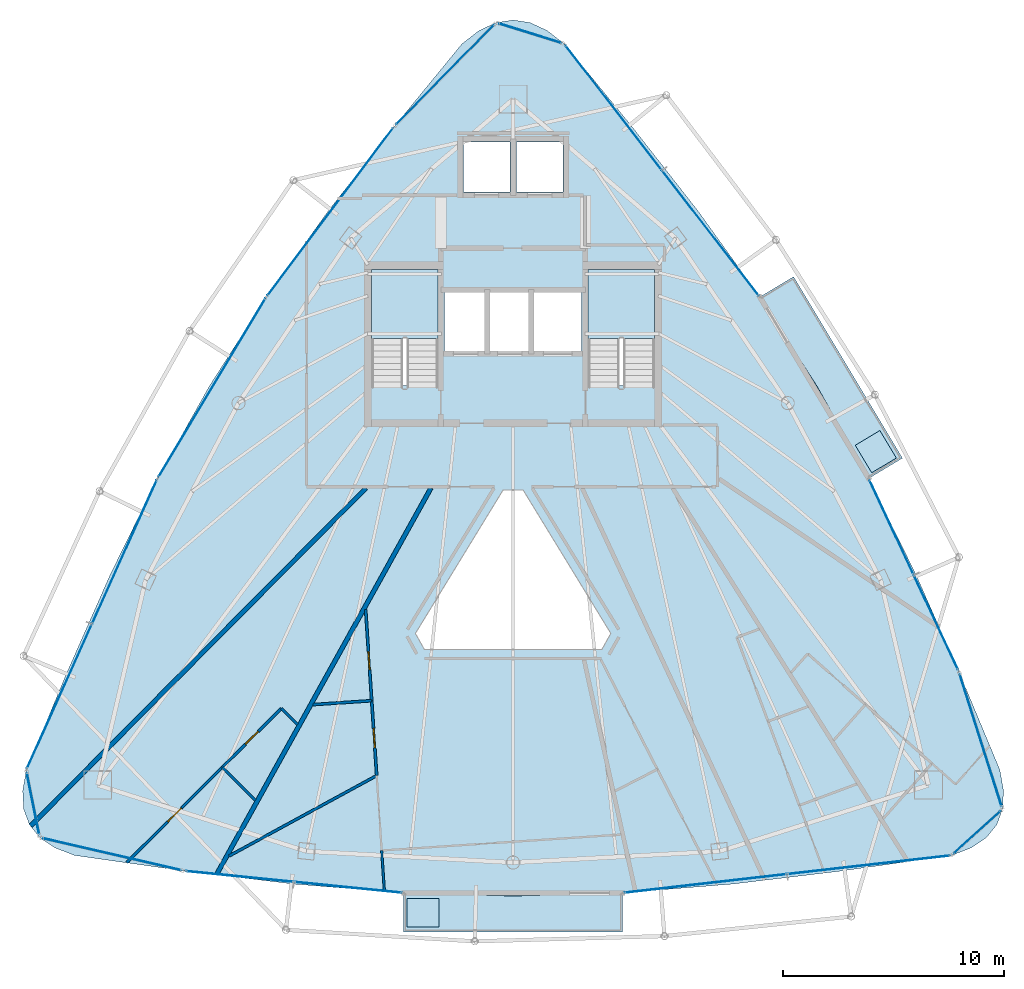
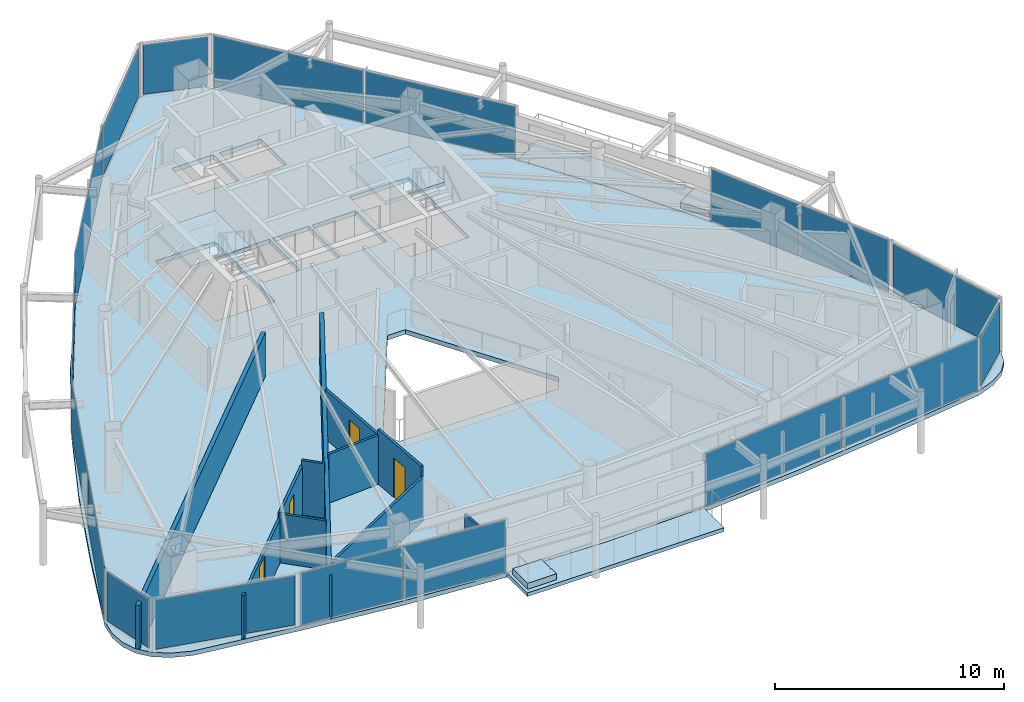
# One storey, part 24 of 29: 18 plates, 11 walls, 7 slabs, 4 doors, 4 openings, 15 elements without a shape of their own.
"""IFC4 building model written with IfcOpenShell, lengths in metres."""

from ifc_helpers import new_model, si_unit, direction, frame, frame_2d, origin, origin_2d, place, context, subcontext, project, spatial, polyline, rectangle, outline, extrude, material, layer, layer_set, type_object, element, fill, aggregate, save


model = new_model("IFC4")

# Units and contexts
model_context = context("Model", 3, precision=1e-05, world=origin(), true_north=direction((0.0, 1.0)))
body_context = subcontext(model_context, "Body", "Model", "MODEL_VIEW")
ifc_project = project(units=[si_unit("LENGTHUNIT", "METRE"), si_unit("AREAUNIT", "SQUARE_METRE"), si_unit("VOLUMEUNIT", "CUBIC_METRE"), si_unit("PLANEANGLEUNIT", "RADIAN"), si_unit("MASSUNIT", "GRAM", prefix="KILO")], contexts=[model_context])

# Site, building, storey
site_placement = place(None, origin())
site = spatial("IfcSite", under=ifc_project, at=site_placement, CompositionType="ELEMENT")
building_placement = place(site_placement, origin())
building = spatial("IfcBuilding", under=site, at=building_placement, Name="Orvanel Arch Residences", CompositionType="ELEMENT")
storey_placement = place(building_placement, frame((0.0, 0.0, 253.550048828125)))
storey = spatial("IfcBuildingStorey", under=building, at=storey_placement, Name="L72", CompositionType="ELEMENT", Elevation=253.550048828125)

# Curtain wall, plate
ifc_material_1 = material(Name="Bronze-anodised aluminium AA6063-T6", Category="aluminium")
ifc_layer_1 = layer(ifc_material_1, 0.175048828125)
ifc_layer_set_1 = layer_set([ifc_layer_1], Name="Bronze-anodised aluminium AA6063-T6")
curtain_wall_type_1 = type_object("IfcCurtainWallType", Name="CW4-HI-SYS", PredefinedType="NOTDEFINED", material=ifc_layer_set_1)
curtain_wall_1_placement = place(storey_placement, origin())
curtain_wall_1 = element("IfcCurtainWall", 1, at=curtain_wall_1_placement, inside=storey, type_object=curtain_wall_type_1, Name="L72 CW4-HI-SYS Unitised Curtain Wall", PredefinedType="NOTDEFINED")
ifc_material_2 = material(Name="Double-glazed solar-control low-E safety glass", Category="glass")
ifc_layer_2 = layer(ifc_material_2, 0.028076171875)
ifc_layer_set_2 = layer_set([ifc_layer_2], Name="Double-glazed solar-control low-E safety glass")
plate_type_1 = type_object("IfcPlateType", Name="PNL-GLZ-28", PredefinedType="CURTAIN_PANEL", material=ifc_layer_set_2)
plate_1_placement = place(storey_placement, frame((24.722412109375, 36.300537109375, 0.06005859375), z_axis=(0.0, 0.0, 1.0), x_axis=(-0.600150105151, -0.79988739913, 0.0)))
plate_1 = element("IfcPlate", 2, at=plate_1_placement, type_object=plate_type_1, Name="CW-S4 panel 1.1", PredefinedType="CURTAIN_PANEL", context=body_context, shape_type="SweptSolid", body=[
    extrude(rectangle(XDim=9.462646484375, YDim=0.028076171875, at=origin_2d()), origin(), (0.0, 0.0, 1.0), 2.780029296875),
])
aggregate(curtain_wall_1, [plate_1])

curtain_wall_2_placement = place(storey_placement, origin())
curtain_wall_2 = element("IfcCurtainWall", 3, at=curtain_wall_2_placement, inside=storey, type_object=curtain_wall_type_1, Name="L72 CW4-HI-SYS Unitised Curtain Wall", PredefinedType="NOTDEFINED")
plate_2_placement = place(storey_placement, frame((19.367919921875, 28.339599609375, 0.06005859375), z_axis=(0.0, 0.0, 1.0), x_axis=(-0.514357043174, -0.857576137808, 0.0)))
plate_2 = element("IfcPlate", 4, at=plate_2_placement, type_object=plate_type_1, Name="CW-S4 panel 1.1", PredefinedType="CURTAIN_PANEL", context=body_context, shape_type="SweptSolid", body=[
    extrude(rectangle(XDim=9.412109375, YDim=0.028076171875, at=origin_2d()), origin(), (0.0, 0.0, 1.0), 2.780029296875),
])
aggregate(curtain_wall_2, [plate_2])

# Curtain wall, plates
curtain_wall_3_placement = place(storey_placement, origin())
curtain_wall_3 = element("IfcCurtainWall", 5, at=curtain_wall_3_placement, inside=storey, type_object=curtain_wall_type_1, Name="L72 CW4-HI-SYS Unitised Curtain Wall", PredefinedType="NOTDEFINED")
plate_3_placement = place(storey_placement, frame((15.40869140625, 20.907958984375, 0.06005859375), z_axis=(0.0, 0.0, 1.0), x_axis=(-0.410396368338, -0.911907243559, 0.0)))
plate_3 = element("IfcPlate", 6, at=plate_3_placement, type_object=plate_type_1, Name="CW-S4 panel 1.1", PredefinedType="CURTAIN_PANEL", context=body_context, shape_type="SweptSolid", body=[
    extrude(rectangle(XDim=7.11865234375, YDim=0.028076171875, at=origin_2d()), origin(), (0.0, 0.0, 1.0), 2.780029296875),
])
plate_4_placement = place(storey_placement, frame((12.46044921875, 14.357177734375, 0.06005859375), z_axis=(0.0, 0.0, 1.0), x_axis=(-0.410396368338, -0.911907243559, 0.0)))
plate_4 = element("IfcPlate", 7, at=plate_4_placement, type_object=plate_type_1, Name="CW-S4 panel 2.1", PredefinedType="CURTAIN_PANEL", context=body_context, shape_type="SweptSolid", body=[
    extrude(rectangle(XDim=7.11865234375, YDim=0.028076171875, at=origin_2d()), origin(), (0.0, 0.0, 1.0), 2.780029296875),
])
aggregate(curtain_wall_3, [plate_3, plate_4])

curtain_wall_4_placement = place(storey_placement, origin())
curtain_wall_4 = element("IfcCurtainWall", 8, at=curtain_wall_4_placement, inside=storey, type_object=curtain_wall_type_1, Name="L72 CW4-HI-SYS Unitised Curtain Wall", PredefinedType="NOTDEFINED")
plate_5_placement = place(storey_placement, frame((20.623779296875, 6.212158203125, 0.06005859375), z_axis=(0.0, 0.0, 1.0), x_axis=(0.995029211484, -0.099583474002, 0.0)))
plate_5 = element("IfcPlate", 9, at=plate_5_placement, type_object=plate_type_1, Name="CW-S4 panel 1.1", PredefinedType="CURTAIN_PANEL", context=body_context, shape_type="SweptSolid", body=[
    extrude(rectangle(XDim=4.8681640625, YDim=0.028076171875, at=origin_2d()), origin(), (0.0, 0.0, 1.0), 2.780029296875),
])
plate_6_placement = place(storey_placement, frame((25.5322265625, 5.720947265625, 0.06005859375), z_axis=(0.0, 0.0, 1.0), x_axis=(0.995029211484, -0.099583474002, 0.0)))
plate_6 = element("IfcPlate", 10, at=plate_6_placement, type_object=plate_type_1, Name="CW-S4 panel 2.1", PredefinedType="CURTAIN_PANEL", context=body_context, shape_type="SweptSolid", body=[
    extrude(rectangle(XDim=4.8681640625, YDim=0.028076171875, at=origin_2d()), origin(), (0.0, 0.0, 1.0), 2.780029296875),
])
aggregate(curtain_wall_4, [plate_5, plate_6])

curtain_wall_5_placement = place(storey_placement, origin())
curtain_wall_5 = element("IfcCurtainWall", 11, at=curtain_wall_5_placement, inside=storey, type_object=curtain_wall_type_1, Name="L72 CW4-HI-SYS Unitised Curtain Wall", PredefinedType="NOTDEFINED")
plate_7_placement = place(storey_placement, frame((41.7080078125, 5.896728515625, 0.06005859375), z_axis=(0.0, 0.0, 1.0), x_axis=(0.993565426136, 0.113259630878, 0.0)))
plate_7 = element("IfcPlate", 12, at=plate_7_placement, type_object=plate_type_1, Name="CW-S4 panel 1.1", PredefinedType="CURTAIN_PANEL", context=body_context, shape_type="SweptSolid", body=[
    extrude(rectangle(XDim=7.3720703125, YDim=0.028076171875, at=origin_2d()), origin(), (0.0, 0.0, 1.0), 2.780029296875),
])
plate_8_placement = place(storey_placement, frame((49.09716796875, 6.7392578125, 0.06005859375), z_axis=(0.0, 0.0, 1.0), x_axis=(0.993565426136, 0.113259630878, 0.0)))
plate_8 = element("IfcPlate", 13, at=plate_8_placement, type_object=plate_type_1, Name="CW-S4 panel 2.1", PredefinedType="CURTAIN_PANEL", context=body_context, shape_type="SweptSolid", body=[
    extrude(rectangle(XDim=7.3720703125, YDim=0.028076171875, at=origin_2d()), origin(), (0.0, 0.0, 1.0), 2.780029296875),
])
aggregate(curtain_wall_5, [plate_7, plate_8])

curtain_wall_6_placement = place(storey_placement, origin())
curtain_wall_6 = element("IfcCurtainWall", 14, at=curtain_wall_6_placement, inside=storey, type_object=curtain_wall_type_1, Name="L72 CW4-HI-SYS Unitised Curtain Wall", PredefinedType="NOTDEFINED")
plate_9_placement = place(storey_placement, frame((52.142822265625, 17.70947265625, 0.06005859375), z_axis=(0.0, 0.0, 1.0), x_axis=(-0.423330539235, 0.905975305707, 0.0)))
plate_9 = element("IfcPlate", 15, at=plate_9_placement, type_object=plate_type_1, Name="CW-S4 panel 1.1", PredefinedType="CURTAIN_PANEL", context=body_context, shape_type="SweptSolid", body=[
    extrude(rectangle(XDim=4.698974609375, YDim=0.028076171875, at=origin_2d()), origin(), (0.0, 0.0, 1.0), 2.780029296875),
])
plate_10_placement = place(storey_placement, frame((50.126220703125, 22.025634765625, 0.06005859375), z_axis=(0.0, 0.0, 1.0), x_axis=(-0.423330539235, 0.905975305707, 0.0)))
plate_10 = element("IfcPlate", 16, at=plate_10_placement, type_object=plate_type_1, Name="CW-S4 panel 2.1", PredefinedType="CURTAIN_PANEL", context=body_context, shape_type="SweptSolid", body=[
    extrude(rectangle(XDim=4.698974609375, YDim=0.028076171875, at=origin_2d()), origin(), (0.0, 0.0, 1.0), 2.780029296875),
])
aggregate(curtain_wall_6, [plate_9, plate_10])

curtain_wall_7_placement = place(storey_placement, origin())
curtain_wall_7 = element("IfcCurtainWall", 17, at=curtain_wall_7_placement, inside=storey, type_object=curtain_wall_type_1, Name="L72 CW4-HI-SYS Unitised Curtain Wall", PredefinedType="NOTDEFINED")
plate_11_placement = place(storey_placement, frame((41.9404296875, 35.331787109375, 0.06005859375), z_axis=(0.0, 0.0, 1.0), x_axis=(-0.611380446006, 0.791336812136, 0.0)))
plate_11 = element("IfcPlate", 18, at=plate_11_placement, type_object=plate_type_1, Name="CW-S4 panel 1.1", PredefinedType="CURTAIN_PANEL", context=body_context, shape_type="SweptSolid", body=[
    extrude(rectangle(XDim=7.1181640625, YDim=0.028076171875, at=origin_2d()), origin(), (0.0, 0.0, 1.0), 2.780029296875),
])
plate_12_placement = place(storey_placement, frame((37.548583984375, 41.01611328125, 0.06005859375), z_axis=(0.0, 0.0, 1.0), x_axis=(-0.611380446006, 0.791336812136, 0.0)))
plate_12 = element("IfcPlate", 19, at=plate_12_placement, type_object=plate_type_1, Name="CW-S4 panel 2.1", PredefinedType="CURTAIN_PANEL", context=body_context, shape_type="SweptSolid", body=[
    extrude(rectangle(XDim=7.1181640625, YDim=0.028076171875, at=origin_2d()), origin(), (0.0, 0.0, 1.0), 2.780029296875),
])
aggregate(curtain_wall_7, [plate_11, plate_12])

# Curtain wall, plate
ifc_layer_3 = layer(ifc_material_1, 0.18994140625)
ifc_layer_set_3 = layer_set([ifc_layer_3], Name="Bronze-anodised aluminium AA6063-T6")
curtain_wall_type_2 = type_object("IfcCurtainWallType", Name="CW5-CRN-SYS", PredefinedType="NOTDEFINED", material=ifc_layer_set_3)
curtain_wall_8_placement = place(storey_placement, origin())
curtain_wall_8 = element("IfcCurtainWall", 20, at=curtain_wall_8_placement, inside=storey, type_object=curtain_wall_type_2, Name="L72 CW5-CRN-SYS Unitised Curtain Wall", PredefinedType="NOTDEFINED")
ifc_layer_4 = layer(ifc_material_2, 0.031982421875)
ifc_layer_set_4 = layer_set([ifc_layer_4], Name="Double-glazed solar-control low-E safety glass")
plate_type_2 = type_object("IfcPlateType", Name="PNL-GLZ-32", PredefinedType="CURTAIN_PANEL", material=ifc_layer_set_4)
plate_13_placement = place(storey_placement, frame((33.7734375, 44.381591796875, 0.1298828125), z_axis=(0.0, 0.0, 1.0), x_axis=(-0.954862682861, 0.297047566696, 0.0)))
plate_13 = element("IfcPlate", 21, at=plate_13_placement, type_object=plate_type_2, Name="CW-S5 panel 1.1", PredefinedType="CURTAIN_PANEL", context=body_context, shape_type="SweptSolid", body=[
    extrude(rectangle(XDim=2.901611328125, YDim=0.031982421875, at=origin_2d()), origin(), (0.0, 0.0, 1.0), 2.639892578125),
])
aggregate(curtain_wall_8, [plate_13])

curtain_wall_9_placement = place(storey_placement, origin())
curtain_wall_9 = element("IfcCurtainWall", 22, at=curtain_wall_9_placement, inside=storey, type_object=curtain_wall_type_2, Name="L72 CW5-CRN-SYS Unitised Curtain Wall", PredefinedType="NOTDEFINED")
plate_14_placement = place(storey_placement, frame((29.91943359375, 42.508056640625, 0.1298828125), z_axis=(0.0, 0.0, 1.0), x_axis=(-0.699666990307, -0.714469105473, 0.0)))
plate_14 = element("IfcPlate", 23, at=plate_14_placement, type_object=plate_type_2, Name="CW-S5 panel 1.1", PredefinedType="CURTAIN_PANEL", context=body_context, shape_type="SweptSolid", body=[
    extrude(rectangle(XDim=6.253173828125, YDim=0.031982421875, at=origin_2d()), origin(), (0.0, 0.0, 1.0), 2.639892578125),
])
aggregate(curtain_wall_9, [plate_14])

curtain_wall_10_placement = place(storey_placement, origin())
curtain_wall_10 = element("IfcCurtainWall", 24, at=curtain_wall_10_placement, inside=storey, type_object=curtain_wall_type_2, Name="L72 CW5-CRN-SYS Unitised Curtain Wall", PredefinedType="NOTDEFINED")
plate_15_placement = place(storey_placement, frame((11.27001953125, 9.50390625, 0.1298828125), z_axis=(0.0, 0.0, 1.0), x_axis=(0.195491601364, -0.980705375633, 0.0)))
plate_15 = element("IfcPlate", 25, at=plate_15_placement, type_object=plate_type_2, Name="CW-S5 panel 1.1", PredefinedType="CURTAIN_PANEL", context=body_context, shape_type="SweptSolid", body=[
    extrude(rectangle(XDim=2.779296875, YDim=0.031982421875, at=origin_2d()), origin(), (0.0, 0.0, 1.0), 2.639892578125),
])
aggregate(curtain_wall_10, [plate_15])

curtain_wall_11_placement = place(storey_placement, origin())
curtain_wall_11 = element("IfcCurtainWall", 26, at=curtain_wall_11_placement, inside=storey, type_object=curtain_wall_type_2, Name="L72 CW5-CRN-SYS Unitised Curtain Wall", PredefinedType="NOTDEFINED")
plate_16_placement = place(storey_placement, frame((14.845947265625, 7.218505859375, 0.1298828125), z_axis=(0.0, 0.0, 1.0), x_axis=(0.974388670683, -0.224870448137, 0.0)))
plate_16 = element("IfcPlate", 27, at=plate_16_placement, type_object=plate_type_2, Name="CW-S5 panel 1.1", PredefinedType="CURTAIN_PANEL", context=body_context, shape_type="SweptSolid", body=[
    extrude(rectangle(XDim=6.375, YDim=0.031982421875, at=origin_2d()), origin(), (0.0, 0.0, 1.0), 2.639892578125),
])
aggregate(curtain_wall_11, [plate_16])

curtain_wall_12_placement = place(storey_placement, origin())
curtain_wall_12 = element("IfcCurtainWall", 28, at=curtain_wall_12_placement, inside=storey, type_object=curtain_wall_type_2, Name="L72 CW5-CRN-SYS Unitised Curtain Wall", PredefinedType="NOTDEFINED")
plate_17_placement = place(storey_placement, frame((53.99951171875, 8.214599609375, 0.1298828125), z_axis=(0.0, 0.0, 1.0), x_axis=(0.740365843875, 0.672204148472, 0.0)))
plate_17 = element("IfcPlate", 29, at=plate_17_placement, type_object=plate_type_2, Name="CW-S5 panel 1.1", PredefinedType="CURTAIN_PANEL", context=body_context, shape_type="SweptSolid", body=[
    extrude(rectangle(XDim=2.781005859375, YDim=0.031982421875, at=origin_2d()), origin(), (0.0, 0.0, 1.0), 2.639892578125),
])
aggregate(curtain_wall_12, [plate_17])

curtain_wall_13_placement = place(storey_placement, origin())
curtain_wall_13 = element("IfcCurtainWall", 30, at=curtain_wall_13_placement, inside=storey, type_object=curtain_wall_type_2, Name="L72 CW5-CRN-SYS Unitised Curtain Wall", PredefinedType="NOTDEFINED")
plate_18_placement = place(storey_placement, frame((54.1640625, 12.383544921875, 0.1298828125), z_axis=(0.0, 0.0, 1.0), x_axis=(-0.302689910097, 0.953089092544, 0.0)))
plate_18 = element("IfcPlate", 31, at=plate_18_placement, type_object=plate_type_2, Name="CW-S5 panel 1.1", PredefinedType="CURTAIN_PANEL", context=body_context, shape_type="SweptSolid", body=[
    extrude(rectangle(XDim=6.208251953125, YDim=0.031982421875, at=origin_2d()), origin(), (0.0, 0.0, 1.0), 2.639892578125),
])
aggregate(curtain_wall_13, [plate_18])

# Slabs
ifc_material_3 = material(Name="Concrete N40 (40 MPa)", Category="concrete")
ifc_layer_5 = layer(ifc_material_3, 0.199951171875)
ifc_layer_set_5 = layer_set([ifc_layer_5], Name="Concrete N40 (40 MPa)")
slab_type_1 = type_object("IfcSlabType", Name="SLB-BAL-200", PredefinedType="FLOOR", material=ifc_layer_set_5)
slab_1_placement = place(storey_placement, frame((0.0, 0.0, -0.199951171875)))
element("IfcSlab", 32, at=slab_1_placement, inside=storey, type_object=slab_type_1, Name="L72 Cantilevered Balcony Slab Face 2", PredefinedType="FLOOR", context=body_context, shape_type="SweptSolid", body=[
    extrude(outline(polyline([(28.0390625, 3.68994140625), (37.9609375, 3.68994140625), (37.9609375, 5.469970703125), (33.0, 5.330078125), (28.0390625, 5.469970703125), (28.0390625, 3.68994140625)])), origin(), (0.0, 0.0, 1.0), 0.199951171875),
])
slab_2_placement = place(storey_placement, frame((0.0, 0.0, -0.199951171875)))
element("IfcSlab", 33, at=slab_2_placement, inside=storey, type_object=slab_type_1, Name="L72 Cantilevered Balcony Slab Face 3", PredefinedType="FLOOR", context=body_context, shape_type="SweptSolid", body=[
    extrude(outline(polyline([(50.623046875, 25.14697265625), (45.694091796875, 33.363037109375), (44.16796875, 32.447998046875), (46.751953125, 28.412109375), (49.095947265625, 24.23095703125), (50.623046875, 25.14697265625)])), origin(), (0.0, 0.0, 1.0), 0.199951171875),
])

# Stair, slab
ifc_material_4 = material(Name="Precast concrete N50 (50 MPa)", Category="concrete")
stair_type = type_object("IfcStairType", Name="STR-DOG-184", PredefinedType="USERDEFINED", material=ifc_material_4)
stair_1_placement = place(storey_placement, origin())
stair_1 = element("IfcStair", 34, at=stair_1_placement, inside=storey, type_object=stair_type, Name="L72 Fire-Isolated Core Exit Stair 1", ObjectType="TWO_RETURN_STAIR", PredefinedType="USERDEFINED")
ifc_layer_6 = layer(ifc_material_3, 0.199951171875)
ifc_layer_set_6 = layer_set([ifc_layer_6], Name="Concrete N40 (40 MPa)")
slab_type_2 = type_object("IfcSlabType", Name="SLB-LND-200", PredefinedType="LANDING", material=ifc_layer_set_6)
slab_3_placement = place(storey_placement, frame((0.0, 0.0, 1.449951171875)))
slab_3 = element("IfcSlab", 35, at=slab_3_placement, type_object=slab_type_2, Name="ST-1 landing 1", PredefinedType="LANDING", context=body_context, shape_type="SweptSolid", body=[
    extrude(outline(polyline([(29.60009765625, 30.56005859375), (29.60009765625, 33.699951171875), (26.60009765625, 33.699951171875), (26.60009765625, 30.56005859375), (29.60009765625, 30.56005859375)])), origin(), (0.0, 0.0, 1.0), 0.199951171875),
])
aggregate(stair_1, [slab_3])

stair_2_placement = place(storey_placement, origin())
stair_2 = element("IfcStair", 36, at=stair_2_placement, inside=storey, type_object=stair_type, Name="L72 Fire-Isolated Core Exit Stair 2", ObjectType="TWO_RETURN_STAIR", PredefinedType="USERDEFINED")
slab_4_placement = place(storey_placement, frame((0.0, 0.0, 1.449951171875)))
slab_4 = element("IfcSlab", 37, at=slab_4_placement, type_object=slab_type_2, Name="ST-2 landing 1", PredefinedType="LANDING", context=body_context, shape_type="SweptSolid", body=[
    extrude(outline(polyline([(39.39990234375, 30.56005859375), (39.39990234375, 33.699951171875), (36.39990234375, 33.699951171875), (36.39990234375, 30.56005859375), (39.39990234375, 30.56005859375)])), origin(), (0.0, 0.0, 1.0), 0.199951171875),
])
aggregate(stair_2, [slab_4])

# Slabs
ifc_material_5 = material(Name="Structural architectural precast concrete N40 (40 MPa) planter", Category="concrete")
ifc_layer_7 = layer(ifc_material_5, 0.320068359375)
ifc_layer_set_7 = layer_set([ifc_layer_7], Name="Structural architectural precast concrete N40 (40 MPa) planter")
slab_type_3 = type_object("IfcSlabType", Name="SLB-PLN-320", PredefinedType="USERDEFINED", material=ifc_layer_set_7)
slab_5_placement = place(storey_placement, origin())
element("IfcSlab", 38, at=slab_5_placement, inside=storey, type_object=slab_type_3, Name="L72 Balcony TREE PLANTER Face 2", ObjectType="PLANTER", PredefinedType="USERDEFINED", context=body_context, shape_type="SweptSolid", body=[
    extrude(outline(polyline([(28.18896484375, 3.919921875), (29.638916015625, 3.919921875), (29.638916015625, 5.219970703125), (28.18896484375, 5.219970703125), (28.18896484375, 3.919921875)])), origin(), (0.0, 0.0, 1.0), 0.320068359375),
])
slab_6_placement = place(storey_placement, origin())
element("IfcSlab", 39, at=slab_6_placement, inside=storey, type_object=slab_type_3, Name="L72 Balcony TREE PLANTER Face 3", ObjectType="PLANTER", PredefinedType="USERDEFINED", context=body_context, shape_type="SweptSolid", body=[
    extrude(outline(polyline([(50.347900390625, 25.156982421875), (49.60302734375, 26.40087890625), (48.488037109375, 25.73193359375), (49.23388671875, 24.489013671875), (50.347900390625, 25.156982421875)])), origin(), (0.0, 0.0, 1.0), 0.320068359375),
])
ifc_layer_8 = layer(ifc_material_3, 0.239990234375)
ifc_layer_set_8 = layer_set([ifc_layer_8], Name="Concrete N40 (40 MPa)")
slab_type_4 = type_object("IfcSlabType", Name="SLB-TYP-240", PredefinedType="FLOOR", material=ifc_layer_set_8)
slab_7_placement = place(storey_placement, frame((0.0, 0.0, -0.239990234375)))
element("IfcSlab", 40, at=slab_7_placement, inside=storey, type_object=slab_type_4, Name="L72 Tower Floor Slab", PredefinedType="FLOOR", context=body_context, shape_type="SweptSolid", body=[
    extrude(outline(polyline([(35.321044921875, 43.89990234375), (34.547119140625, 44.501953125), (33.77392578125, 44.863037109375), (33.0, 44.98291015625), (32.22607421875, 44.863037109375), (31.452880859375, 44.501953125), (30.678955078125, 43.89990234375), (27.613037109375, 40.153076171875), (24.637939453125, 36.35107421875), (21.83203125, 32.447998046875), (19.248046875, 28.412109375), (16.904052734375, 24.23095703125), (14.781005859375, 19.9189453125), (12.826904296875, 15.50390625), (10.965087890625, 11.033935546875), (10.799072265625, 10.089111328125), (10.844970703125, 9.262939453125), (11.10400390625, 8.55908203125), (11.574951171875, 7.97412109375), (12.259033203125, 7.510009765625), (13.156005859375, 7.166015625), (18.116943359375, 6.462890625), (23.077880859375, 5.867919921875), (28.0390625, 5.469970703125), (33.0, 5.330078125), (37.9609375, 5.469970703125), (42.922119140625, 5.867919921875), (47.883056640625, 6.462890625), (52.843994140625, 7.166015625), (53.739990234375, 7.510009765625), (54.425048828125, 7.97412109375), (54.89599609375, 8.55908203125), (55.155029296875, 9.262939453125), (55.200927734375, 10.089111328125), (55.034912109375, 11.033935546875), (53.173095703125, 15.50390625), (51.218994140625, 19.9189453125), (49.095947265625, 24.23095703125), (46.751953125, 28.412109375), (44.16796875, 32.447998046875), (41.362060546875, 36.35107421875), (38.386962890625, 40.153076171875), (35.321044921875, 43.89990234375)]), holes=[polyline([(26.60009765625, 28.429931640625), (26.60009765625, 33.699951171875), (29.60009765625, 33.699951171875), (29.60009765625, 28.429931640625), (26.60009765625, 28.429931640625)]), polyline([(36.39990234375, 28.429931640625), (36.39990234375, 33.699951171875), (39.39990234375, 33.699951171875), (39.39990234375, 28.429931640625), (36.39990234375, 28.429931640625)]), polyline([(29.89990234375, 32.64990234375), (31.75, 32.64990234375), (31.75, 29.949951171875), (29.89990234375, 29.949951171875), (29.89990234375, 32.64990234375)]), polyline([(31.89990234375, 32.64990234375), (33.75, 32.64990234375), (33.75, 29.949951171875), (31.89990234375, 29.949951171875), (31.89990234375, 32.64990234375)]), polyline([(33.89990234375, 32.64990234375), (36.10009765625, 32.64990234375), (36.10009765625, 29.949951171875), (33.89990234375, 29.949951171875), (33.89990234375, 32.64990234375)]), polyline([(30.75, 39.449951171875), (32.85009765625, 39.449951171875), (32.85009765625, 37.199951171875), (30.75, 37.199951171875), (30.75, 39.449951171875)]), polyline([(33.14990234375, 39.449951171875), (35.25, 39.449951171875), (35.25, 37.199951171875), (33.14990234375, 37.199951171875), (33.14990234375, 39.449951171875)]), polyline([(37.423095703125, 17.215087890625), (37.011962890625, 16.48193359375), (28.988037109375, 16.48193359375), (28.576904296875, 17.215087890625), (32.552001953125, 23.717041015625), (33.447998046875, 23.717041015625), (37.423095703125, 17.215087890625)])]), origin(), (0.0, 0.0, 1.0), 0.239990234375),
])

# Walls
ifc_material_6 = material(Name="Fire-rated plasterboard lined steel stud partition", Category="steel")
ifc_layer_9 = layer(ifc_material_6, 0.199951171875)
ifc_layer_set_9 = layer_set([ifc_layer_9], Name="Fire-rated plasterboard lined steel stud partition")
wall_type_1 = type_object("IfcWallType", Name="W-DEM-200", PredefinedType="PARTITIONING", material=ifc_layer_set_9)
wall_1_placement = place(storey_placement, frame((19.574951171875, 6.302001953125, 0.0), z_axis=(0.0, 0.0, 1.0), x_axis=(0.485129783088, 0.874442161358, 0.0)))
element("IfcWall", 41, at=wall_1_placement, inside=storey, type_object=wall_type_1, Name="L72 Inter-Tenancy Acoustic Demising Wall", PredefinedType="PARTITIONING", context=body_context, shape_type="SweptSolid", body=[
    extrude(rectangle(XDim=19.9990234375, YDim=0.199951171875, at=frame_2d((9.99951171875, 0.0))), origin(), (0.0, 0.0, 1.0), 2.33203125),
])
wall_2_placement = place(storey_placement, frame((26.337890625, 23.7900390625, 0.0), z_axis=(0.0, 0.0, 1.0), x_axis=(-0.70454576136, -0.70965855885, 0.0)))
element("IfcWall", 42, at=wall_2_placement, inside=storey, type_object=wall_type_1, Name="L72 Inter-Tenancy Acoustic Demising Wall", PredefinedType="PARTITIONING", context=body_context, shape_type="SweptSolid", body=[
    extrude(rectangle(XDim=21.53564453125, YDim=0.199951171875, at=frame_2d((10.767822265625, 0.0))), origin(), (0.0, 0.0, 1.0), 2.33203125),
])
ifc_material_7 = material(Name="Acoustic plasterboard lined twin-stud partition", Category="gypsum")
ifc_layer_10 = layer(ifc_material_7, 0.10009765625)
ifc_layer_set_10 = layer_set([ifc_layer_10], Name="Acoustic plasterboard lined twin-stud partition")
wall_type_2 = type_object("IfcWallType", Name="W-INT-100", PredefinedType="PARTITIONING", material=ifc_layer_set_10)
wall_3_placement = place(storey_placement, frame((27.172119140625, 5.553955078125, 0.0), z_axis=(0.0, 0.0, 1.0), x_axis=(-0.066342877953, 0.997796884413, 0.0)))
element("IfcWall", 43, at=wall_3_placement, inside=storey, type_object=wall_type_2, Name="L72 Studio A Internal Partition", PredefinedType="PARTITIONING", context=body_context, shape_type="SweptSolid", body=[
    extrude(rectangle(XDim=1.840087890625, YDim=0.10009765625, at=frame_2d((0.919921875, 0.0))), origin(), (0.0, 0.0, 1.0), 2.33203125),
])

# Wall, opening, door
ifc_layer_11 = layer(ifc_material_7, 0.1201171875)
ifc_layer_set_11 = layer_set([ifc_layer_11], Name="Acoustic plasterboard lined twin-stud partition")
wall_type_3 = type_object("IfcWallType", Name="W-WET-120", PredefinedType="PARTITIONING", material=ifc_layer_set_11)
wall_4_placement = place(storey_placement, frame((26.59912109375, 14.169921875, 0.0), z_axis=(0.0, 0.0, 1.0), x_axis=(-0.066334744758, 0.997797425151, 0.0)))
wall_4 = element("IfcWall", 44, at=wall_4_placement, inside=storey, type_object=wall_type_3, Name="L72 Studio A Bathroom Partition", PredefinedType="PARTITIONING", context=body_context, shape_type="SweptSolid", body=[
    extrude(rectangle(XDim=4.133056640625, YDim=0.1201171875, at=frame_2d((2.06640625, 0.0))), origin(), (0.0, 0.0, 1.0), 2.613037109375),
])
opening_1_placement = place(wall_4_placement, frame((1.408935546875, 0.0, 0.0)))
opening_1 = element("IfcOpeningElement", 45, at=opening_1_placement, cuts=wall_4, Name="Opening DW-082", PredefinedType="OPENING", context=body_context, shape_type="SweptSolid", body=[
    extrude(rectangle(XDim=0.820068359375, YDim=2.10009765625, at=frame_2d((0.41015625, 1.050048828125))), frame((0.0, 0.070068359375, 0.0), z_axis=(0.0, -1.0, 0.0), x_axis=(1.0, 0.0, 0.0)), (0.0, 0.0, 1.0), 0.14013671875),
])
ifc_material_8 = material(Name="Solid-core European oak veneer fire door leaf", Category="wood")
door_type_1 = type_object("IfcDoorType", Name="DR-WET-820", OperationType="NOTDEFINED", PredefinedType="DOOR", material=ifc_material_8)
door_1_placement = place(opening_1_placement, origin())
door_1 = element("IfcDoor", 46, at=door_1_placement, inside=storey, type_object=door_type_1, Name="DR-L72-A-BATH L72 Studio A Bathroom Door", OperationType="SINGLE_SWING_RIGHT", OverallHeight=2.10009765625, OverallWidth=0.820068359375, PredefinedType="DOOR", context=body_context, shape_type="SweptSolid", body=[
    extrude(rectangle(XDim=0.820068359375, YDim=2.10009765625, at=frame_2d((0.41015625, 1.050048828125))), frame((0.0, 0.02490234375, 0.0), z_axis=(0.0, -1.0, 0.0), x_axis=(1.0, 0.0, 0.0)), (0.0, 0.0, 1.0), 0.050048828125),
])
fill(opening_1, door_1)

wall_5_placement = place(storey_placement, frame((26.824951171875, 10.780029296875, 0.0), z_axis=(0.0, 0.0, 1.0), x_axis=(-0.066471315173, 0.997788336402, 0.0)))
wall_5 = element("IfcWall", 47, at=wall_5_placement, inside=storey, type_object=wall_type_3, Name="L72 Studio A Internal Partition", PredefinedType="PARTITIONING", context=body_context, shape_type="SweptSolid", body=[
    extrude(rectangle(XDim=3.3974609375, YDim=0.1201171875, at=frame_2d((1.69873046875, 0.0))), origin(), (0.0, 0.0, 1.0), 2.89990234375),
])
opening_2_placement = place(wall_5_placement, frame((1.259033203125, 0.0, 0.0)))
opening_2 = element("IfcOpeningElement", 48, at=opening_2_placement, cuts=wall_5, Name="Opening DI-088", PredefinedType="OPENING", context=body_context, shape_type="SweptSolid", body=[
    extrude(rectangle(XDim=0.8798828125, YDim=2.10009765625, at=frame_2d((0.43994140625, 1.050048828125))), frame((0.0, 0.070068359375, 0.0), z_axis=(0.0, -1.0, 0.0), x_axis=(1.0, 0.0, 0.0)), (0.0, 0.0, 1.0), 0.14013671875),
])
door_type_2 = type_object("IfcDoorType", Name="DR-INT-880", OperationType="NOTDEFINED", PredefinedType="DOOR", material=ifc_material_8)
door_2_placement = place(opening_2_placement, origin())
door_2 = element("IfcDoor", 49, at=door_2_placement, inside=storey, type_object=door_type_2, Name="DR-L72-A-KIT L72 Studio A Kitchenette Door", OperationType="SINGLE_SWING_LEFT", OverallHeight=2.10009765625, OverallWidth=0.8798828125, PredefinedType="DOOR", context=body_context, shape_type="SweptSolid", body=[
    extrude(rectangle(XDim=0.8798828125, YDim=2.10009765625, at=frame_2d((0.43994140625, 1.050048828125))), frame((0.0, 0.02490234375, 0.0), z_axis=(0.0, -1.0, 0.0), x_axis=(1.0, 0.0, 0.0)), (0.0, 0.0, 1.0), 0.050048828125),
])
fill(opening_2, door_2)

# Walls
wall_6_placement = place(storey_placement, frame((26.59912109375, 14.169921875, 0.0), z_axis=(0.0, 0.0, 1.0), x_axis=(-0.99779365881, -0.066391373223, 0.0)))
element("IfcWall", 50, at=wall_6_placement, inside=storey, type_object=wall_type_3, Name="L72 Studio A Bathroom Partition", PredefinedType="PARTITIONING", context=body_context, shape_type="SweptSolid", body=[
    extrude(rectangle(XDim=2.666015625, YDim=0.1201171875, at=frame_2d((1.3330078125, 0.0))), origin(), (0.0, 0.0, 1.0), 2.613037109375),
])
wall_7_placement = place(storey_placement, frame((26.824951171875, 10.780029296875, 0.0), z_axis=(0.0, 0.0, 1.0), x_axis=(-0.87825059366, -0.478200684583, 0.0)))
element("IfcWall", 51, at=wall_7_placement, inside=storey, type_object=wall_type_3, Name="L72 Studio A Internal Partition", PredefinedType="PARTITIONING", context=body_context, shape_type="SweptSolid", body=[
    extrude(rectangle(XDim=7.6162109375, YDim=0.1201171875, at=frame_2d((3.80810546875, 0.0))), origin(), (0.0, 0.0, 1.0), 2.33203125),
])
wall_8_placement = place(storey_placement, frame((23.242919921875, 13.087890625, 0.0), z_axis=(0.0, 0.0, 1.0), x_axis=(-0.706518163511, 0.707694909286, 0.0)))
element("IfcWall", 52, at=wall_8_placement, inside=storey, type_object=wall_type_3, Name="L72 Studio D Bathroom Partition", PredefinedType="PARTITIONING", context=body_context, shape_type="SweptSolid", body=[
    extrude(rectangle(XDim=1.037353515625, YDim=0.1201171875, at=frame_2d((0.5185546875, 0.0))), origin(), (0.0, 0.0, 1.0), 2.89990234375),
])

# Wall, opening, door
wall_9_placement = place(storey_placement, frame((22.510009765625, 13.822021484375, 0.0), z_axis=(0.0, 0.0, 1.0), x_axis=(-0.708172404385, -0.706039549649, 0.0)))
wall_9 = element("IfcWall", 53, at=wall_9_placement, inside=storey, type_object=wall_type_3, Name="L72 Studio D Bathroom Partition", PredefinedType="PARTITIONING", context=body_context, shape_type="SweptSolid", body=[
    extrude(rectangle(XDim=3.77734375, YDim=0.1201171875, at=frame_2d((1.888671875, 0.0))), origin(), (0.0, 0.0, 1.0), 2.613037109375),
])
opening_3_placement = place(wall_9_placement, frame((1.47900390625, 0.0, 0.0)))
opening_3 = element("IfcOpeningElement", 54, at=opening_3_placement, cuts=wall_9, Name="Opening DW-082", PredefinedType="OPENING", context=body_context, shape_type="SweptSolid", body=[
    extrude(rectangle(XDim=0.820068359375, YDim=2.10009765625, at=frame_2d((0.41015625, 1.050048828125))), frame((0.0, 0.070068359375, 0.0), z_axis=(0.0, -1.0, 0.0), x_axis=(1.0, 0.0, 0.0)), (0.0, 0.0, 1.0), 0.14013671875),
])
door_3_placement = place(opening_3_placement, origin())
door_3 = element("IfcDoor", 55, at=door_3_placement, inside=storey, type_object=door_type_1, Name="DR-L72-D-BATH L72 Studio D Bathroom Door", OperationType="SINGLE_SWING_RIGHT", OverallHeight=2.10009765625, OverallWidth=0.820068359375, PredefinedType="DOOR", context=body_context, shape_type="SweptSolid", body=[
    extrude(rectangle(XDim=0.820068359375, YDim=2.10009765625, at=frame_2d((0.41015625, 1.050048828125))), frame((0.0, 0.02490234375, 0.0), z_axis=(0.0, -1.0, 0.0), x_axis=(1.0, 0.0, 0.0)), (0.0, 0.0, 1.0), 0.050048828125),
])
fill(opening_3, door_3)

wall_10_placement = place(storey_placement, frame((19.8349609375, 11.155029296875, 0.0), z_axis=(0.0, 0.0, 1.0), x_axis=(-0.708085833798, -0.706126371108, 0.0)))
wall_10 = element("IfcWall", 56, at=wall_10_placement, inside=storey, type_object=wall_type_3, Name="L72 Studio D Internal Partition", PredefinedType="PARTITIONING", context=body_context, shape_type="SweptSolid", body=[
    extrude(rectangle(XDim=6.105224609375, YDim=0.1201171875, at=frame_2d((3.052734375, 0.0))), origin(), (0.0, 0.0, 1.0), 2.33203125),
])
opening_4_placement = place(wall_10_placement, frame((2.613037109375, 0.0, 0.0)))
opening_4 = element("IfcOpeningElement", 57, at=opening_4_placement, cuts=wall_10, Name="Opening DI-088", PredefinedType="OPENING", context=body_context, shape_type="SweptSolid", body=[
    extrude(rectangle(XDim=0.8798828125, YDim=2.10009765625, at=frame_2d((0.43994140625, 1.050048828125))), frame((0.0, 0.070068359375, 0.0), z_axis=(0.0, -1.0, 0.0), x_axis=(1.0, 0.0, 0.0)), (0.0, 0.0, 1.0), 0.14013671875),
])
door_4_placement = place(opening_4_placement, origin())
door_4 = element("IfcDoor", 58, at=door_4_placement, inside=storey, type_object=door_type_2, Name="DR-L72-D-KIT L72 Studio D Kitchenette Door", OperationType="SINGLE_SWING_LEFT", OverallHeight=2.10009765625, OverallWidth=0.8798828125, PredefinedType="DOOR", context=body_context, shape_type="SweptSolid", body=[
    extrude(rectangle(XDim=0.8798828125, YDim=2.10009765625, at=frame_2d((0.43994140625, 1.050048828125))), frame((0.0, 0.02490234375, 0.0), z_axis=(0.0, -1.0, 0.0), x_axis=(1.0, 0.0, 0.0)), (0.0, 0.0, 1.0), 0.050048828125),
])
fill(opening_4, door_4)

# Wall
wall_11_placement = place(storey_placement, frame((21.3359375, 9.65087890625, 0.0), z_axis=(0.0, 0.0, 1.0), x_axis=(-0.70635958505, 0.707853188597, 0.0)))
element("IfcWall", 59, at=wall_11_placement, inside=storey, type_object=wall_type_3, Name="L72 Studio D Bathroom Partition", PredefinedType="PARTITIONING", context=body_context, shape_type="SweptSolid", body=[
    extrude(rectangle(XDim=2.125, YDim=0.1201171875, at=frame_2d((1.0625, 0.0))), origin(), (0.0, 0.0, 1.0), 2.613037109375),
])

save(model, "model.ifc")
